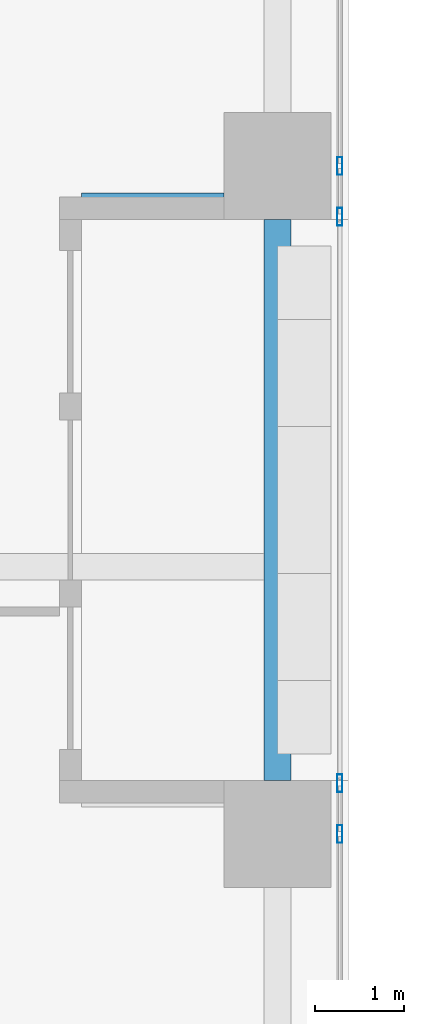
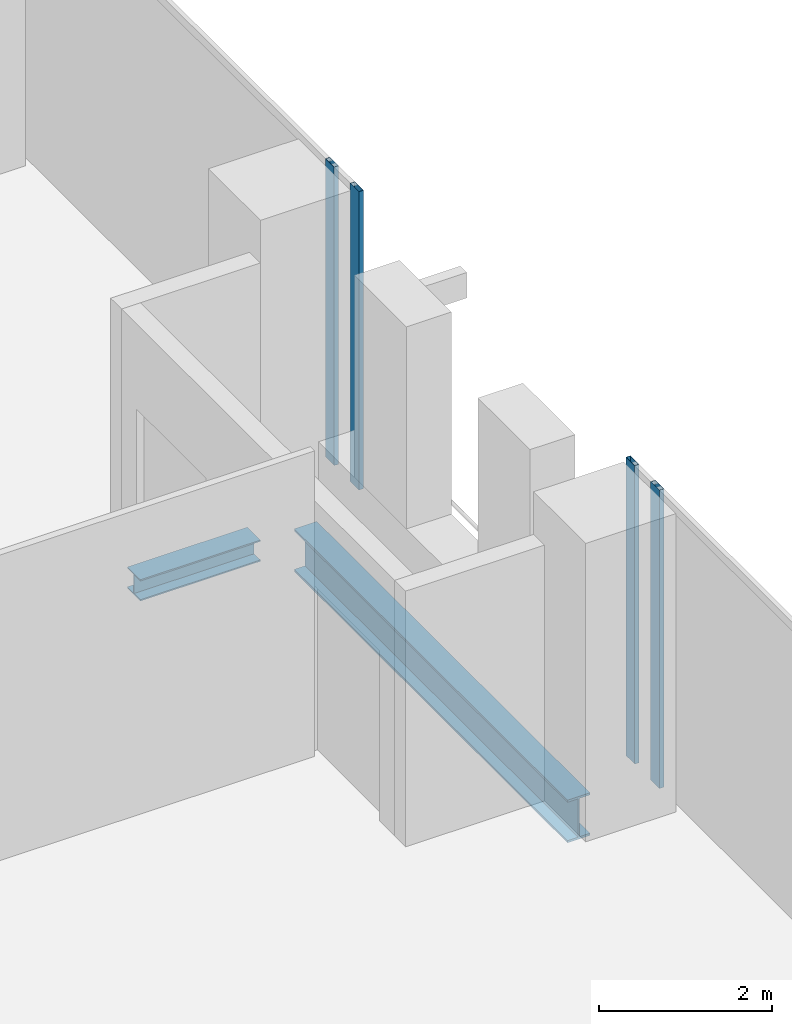
# One storey, part 11 of 33: 4 members, 2 beams, 2 elements without a shape of their own.
"""IFC4 building model written with IfcOpenShell, lengths in metres."""

from ifc_helpers import new_model, si_unit, direction, frame, origin, origin_2d, place, context, subcontext, project, spatial, hollow_rectangle, i_section, extrude, source, transform, mapped, material, material_profile, profile_set, type_object, element, aggregate, save


model = new_model("IFC4")

# Units and contexts
model_context = context("Model", 3, precision=1e-05, world=origin(), true_north=direction((0.0, 1.0)))
body_context = subcontext(model_context, "Body", "Model", "MODEL_VIEW")
ifc_project = project(units=[si_unit("LENGTHUNIT", "METRE"), si_unit("AREAUNIT", "SQUARE_METRE"), si_unit("VOLUMEUNIT", "CUBIC_METRE"), si_unit("PLANEANGLEUNIT", "RADIAN"), si_unit("MASSUNIT", "GRAM", prefix="KILO")], contexts=[model_context])

# Site, building, storey
site_placement = place(None, origin())
site = spatial("IfcSite", under=ifc_project, at=site_placement, CompositionType="ELEMENT")
building_placement = place(site_placement, origin())
building = spatial("IfcBuilding", under=site, at=building_placement, Name="Khomas Fold Tower", CompositionType="ELEMENT")
storey_placement = place(building_placement, frame((0.0, 0.0, 82.5)))
storey = spatial("IfcBuildingStorey", under=building, at=storey_placement, Name="L17", CompositionType="ELEMENT", Elevation=82.5)

# Beams
ifc_material_1 = material(Name="Steel S355", Category="steel")
ifc_material_profile_1 = material_profile(ifc_material_1, i_section(OverallWidth=0.300048828125, OverallDepth=0.60009765625, WebThickness=0.015380859375, FlangeThickness=0.030029296875, at=origin_2d()), Name="HE 600 B")
ifc_profile_set_1 = profile_set([ifc_material_profile_1], Name="Steel S355")
beam_type_1 = type_object("IfcBeamType", Name="HE 600 B spandrel SB1", PredefinedType="SPANDREL", material=ifc_profile_set_1)
shared_shape_1 = source(origin(), body_context, "Body", "SweptSolid", [
    extrude(i_section(OverallWidth=0.300048828125, OverallDepth=0.60009765625, WebThickness=0.015380859375, FlangeThickness=0.030029296875, at=origin_2d()), origin(), (0.0, 0.0, 1.0), 6.2998046875),
])
beam_1_placement = place(storey_placement, frame((53.199951171875, 20.10009765625, -0.60009765625), z_axis=(0.0, 1.0, 0.0), x_axis=(-1.0, 0.0, 0.0)))
element("IfcBeam", 1, at=beam_1_placement, inside=storey, type_object=beam_type_1, Name="SB1", PredefinedType="SPANDREL", context=body_context, shape_type="MappedRepresentation", body=[
    mapped(shared_shape_1, transform((0.0, 0.0, 0.0))),
])
ifc_material_2 = material(Name="Steel S355", Category="steel")
ifc_material_profile_2 = material_profile(ifc_material_2, i_section(OverallWidth=0.300048828125, OverallDepth=0.300048828125, WebThickness=0.010986328125, FlangeThickness=0.01904296875, at=origin_2d()), Name="HE 300 B")
ifc_profile_set_2 = profile_set([ifc_material_profile_2], Name="Steel S355")
beam_type_2 = type_object("IfcBeamType", Name="HE 300 B beam BB1", PredefinedType="BEAM", material=ifc_profile_set_2)
shared_shape_2 = source(origin(), body_context, "Body", "SweptSolid", [
    extrude(i_section(OverallWidth=0.300048828125, OverallDepth=0.300048828125, WebThickness=0.010986328125, FlangeThickness=0.01904296875, at=origin_2d()), origin(), (0.0, 0.0, 1.0), 1.60009765625),
])
beam_2_placement = place(storey_placement, frame((51.0, 26.550048828125, -0.449951171875), z_axis=(1.0, 0.0, 0.0), x_axis=(0.0, 1.0, 0.0)))
element("IfcBeam", 2, at=beam_2_placement, inside=storey, type_object=beam_type_2, Name="BB1", PredefinedType="BEAM", context=body_context, shape_type="MappedRepresentation", body=[
    mapped(shared_shape_2, transform((0.0, 0.0, 0.0))),
])

# Curtain wall, members
ifc_material_3 = material(Name="Aluminium framed double glazing", Category="aluminium")
curtain_wall_type = type_object("IfcCurtainWallType", Name="SK-Unitised clear-glass wall, growing floors CW1", PredefinedType="NOTDEFINED", material=ifc_material_3)
curtain_wall_1_placement = place(storey_placement, origin())
curtain_wall_1 = element("IfcCurtainWall", 3, at=curtain_wall_1_placement, inside=storey, type_object=curtain_wall_type, Name="CW1 run L17 03-0", PredefinedType="NOTDEFINED")
ifc_material_4 = material(Name="Aluminium", Category="aluminium")
ifc_material_profile_3 = material_profile(ifc_material_4, hollow_rectangle(XDim=0.06005859375, YDim=0.199951171875, WallThickness=0.00390625, at=origin_2d()), Name="SK-Unitised clear-glass wall, growing floors mullion CW1-M")
ifc_profile_set_3 = profile_set([ifc_material_profile_3], Name="Aluminium")
member_type = type_object("IfcMemberType", Name="SK-Unitised clear-glass wall, growing floors mullion CW1-M", PredefinedType="MULLION", material=ifc_profile_set_3)
shared_shape_3 = source(origin(), body_context, "Body", "SweptSolid", [
    extrude(hollow_rectangle(XDim=0.06005859375, YDim=0.199951171875, WallThickness=0.00390625, at=origin_2d()), origin(), (0.0, 0.0, 1.0), 4.199951171875),
])
member_1_placement = place(storey_placement, frame((53.89990234375, 19.5, 0.0), z_axis=(0.0, 0.0, 1.0), x_axis=(-1.0, 0.0, 0.0)))
member_1 = element("IfcMember", 4, at=member_1_placement, type_object=member_type, Name="CW1 mullion 4", PredefinedType="MULLION", context=body_context, shape_type="MappedRepresentation", body=[
    mapped(shared_shape_3, transform((0.0, 0.0, 0.0))),
])
member_2_placement = place(storey_placement, frame((53.89990234375, 20.070068359375, 0.0), z_axis=(0.0, 0.0, 1.0), x_axis=(-1.0, 0.0, 0.0)))
member_2 = element("IfcMember", 5, at=member_2_placement, type_object=member_type, Name="CW1 mullion 5", PredefinedType="MULLION", context=body_context, shape_type="MappedRepresentation", body=[
    mapped(shared_shape_3, transform((0.0, 0.0, 0.0))),
])
aggregate(curtain_wall_1, [member_1, member_2])

curtain_wall_2_placement = place(storey_placement, origin())
curtain_wall_2 = element("IfcCurtainWall", 6, at=curtain_wall_2_placement, inside=storey, type_object=curtain_wall_type, Name="CW1 run L17 03-1", PredefinedType="NOTDEFINED")
member_3_placement = place(storey_placement, frame((53.89990234375, 26.429931640625, 0.0), z_axis=(0.0, 0.0, 1.0), x_axis=(-1.0, 0.0, 0.0)))
member_3 = element("IfcMember", 7, at=member_3_placement, type_object=member_type, Name="CW1 mullion 1", PredefinedType="MULLION", context=body_context, shape_type="MappedRepresentation", body=[
    mapped(shared_shape_3, transform((0.0, 0.0, 0.0))),
])
member_4_placement = place(storey_placement, frame((53.89990234375, 27.0, 0.0), z_axis=(0.0, 0.0, 1.0), x_axis=(-1.0, 0.0, 0.0)))
member_4 = element("IfcMember", 8, at=member_4_placement, type_object=member_type, Name="CW1 mullion 2", PredefinedType="MULLION", context=body_context, shape_type="MappedRepresentation", body=[
    mapped(shared_shape_3, transform((0.0, 0.0, 0.0))),
])
aggregate(curtain_wall_2, [member_3, member_4])

save(model, "model.ifc")
